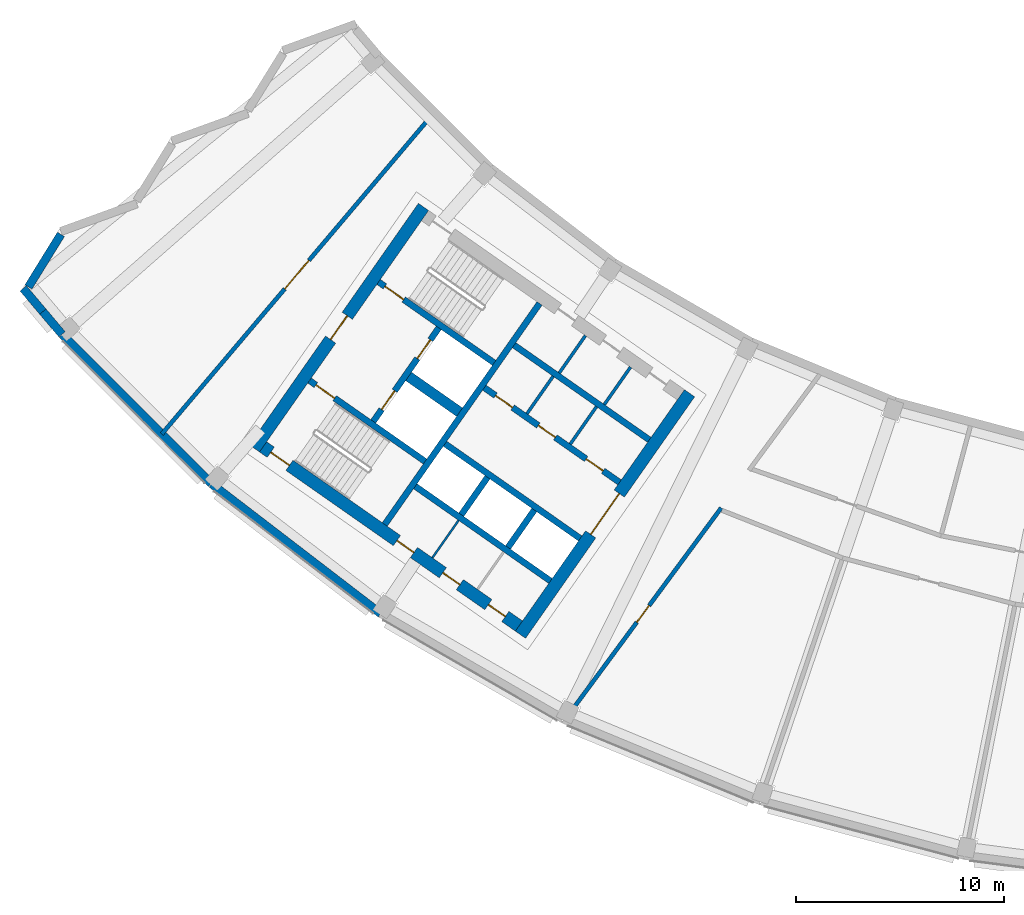
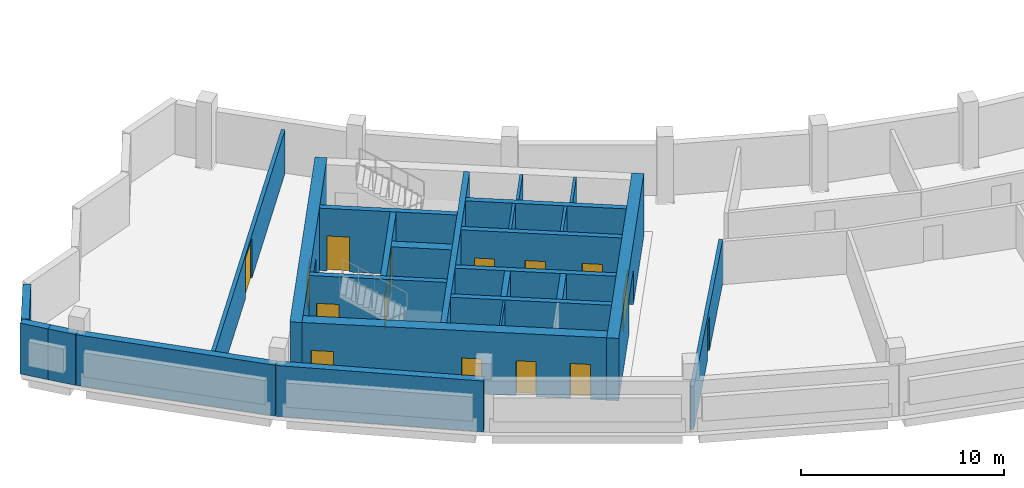
# One storey, part 3 of 12: 26 walls, 15 doors, 15 openings.
"""IFC4 building model written with IfcOpenShell, lengths in metres."""

from ifc_helpers import new_model, si_unit, direction, frame, frame_2d, origin, place, context, subcontext, project, spatial, rectangle, extrude, material, layer, layer_set, type_object, element, fill, save


model = new_model("IFC4")

# Units and contexts
model_context = context("Model", 3, precision=1e-05, world=origin(), true_north=direction((0.0, 1.0)))
body_context = subcontext(model_context, "Body", "Model", "MODEL_VIEW")
ifc_project = project(units=[si_unit("LENGTHUNIT", "METRE"), si_unit("AREAUNIT", "SQUARE_METRE"), si_unit("VOLUMEUNIT", "CUBIC_METRE"), si_unit("PLANEANGLEUNIT", "RADIAN"), si_unit("MASSUNIT", "GRAM", prefix="KILO")], contexts=[model_context])

# Site, building, storey
site_placement = place(None, origin())
site = spatial("IfcSite", under=ifc_project, at=site_placement, CompositionType="ELEMENT")
building_placement = place(site_placement, origin())
building = spatial("IfcBuilding", under=site, at=building_placement, Name="Qamariyya Broadcast Tower", CompositionType="ELEMENT")
storey_placement = place(building_placement, frame((0.0, 0.0, 290.699951171875)))
storey = spatial("IfcBuildingStorey", under=building, at=storey_placement, Name="L70", CompositionType="ELEMENT", Elevation=290.699951171875)

# Wall, opening, door
ifc_material_1 = material(Name="Concrete C60/75", Category="concrete")
ifc_layer_1 = layer(ifc_material_1, 0.60009765625)
ifc_layer_set_1 = layer_set([ifc_layer_1], Name="Core wall 600 mm Concrete C60/75")
wall_type_1 = type_object("IfcWallType", Name="Core wall 600 mm Concrete C60/75", PredefinedType="SHEAR", material=ifc_layer_set_1)
wall_1_placement = place(storey_placement, frame((-36.66748046875, -66.005126953125, 0.0), z_axis=(0.0, 0.0, 1.0), x_axis=(0.573568499524, 0.819157601658, 0.0)))
wall_1 = element("IfcWall", 1, at=wall_1_placement, inside=storey, type_object=wall_type_1, Name="k-W-L70-WA", PredefinedType="SHEAR", context=body_context, shape_type="SweptSolid", body=[
    extrude(rectangle(XDim=14.19970703125, YDim=0.60009765625, at=frame_2d((7.099853515625, 0.0))), origin(), (0.0, 0.0, 1.0), 3.75),
])
opening_1_placement = place(wall_1_placement, frame((5.89990234375, 0.0, 0.0)))
opening_1 = element("IfcOpeningElement", 2, at=opening_1_placement, cuts=wall_1, Name="Opening KD3-W1", PredefinedType="OPENING", context=body_context, shape_type="SweptSolid", body=[
    extrude(rectangle(XDim=2.39990234375, YDim=2.10009765625, at=frame_2d((1.199951171875, 1.050048828125))), frame((0.0, 0.31005859375, 0.0), z_axis=(0.0, -1.0, 0.0), x_axis=(1.0, 0.0, 0.0)), (0.0, 0.0, 1.0), 0.6201171875),
])
ifc_material_2 = material(Name="Steel fire-resisting door leaf", Category="steel")
door_type_1 = type_object("IfcDoorType", Name="Lift lobby door KD3", OperationType="DOUBLE_DOOR_SINGLE_SWING", PredefinedType="DOOR", material=ifc_material_2)
door_1_placement = place(opening_1_placement, origin())
door_1 = element("IfcDoor", 3, at=door_1_placement, inside=storey, type_object=door_type_1, Name="k-W-L70-WA-D1", OperationType="DOUBLE_DOOR_SINGLE_SWING", OverallHeight=2.10009765625, OverallWidth=2.39990234375, PredefinedType="DOOR", context=body_context, shape_type="SweptSolid", body=[
    extrude(rectangle(XDim=2.39990234375, YDim=2.10009765625, at=frame_2d((1.199951171875, 1.050048828125))), frame((0.0, 0.02490234375, 0.0), z_axis=(0.0, -1.0, 0.0), x_axis=(1.0, 0.0, 0.0)), (0.0, 0.0, 1.0), 0.050048828125),
])
fill(opening_1, door_1)

wall_2_placement = place(storey_placement, frame((-49.4833984375, -57.031494140625, 0.0), z_axis=(0.0, 0.0, 1.0), x_axis=(0.573560421458, 0.819163257805, 0.0)))
wall_2 = element("IfcWall", 4, at=wall_2_placement, inside=storey, type_object=wall_type_1, Name="k-W-L70-WH", PredefinedType="SHEAR", context=body_context, shape_type="SweptSolid", body=[
    extrude(rectangle(XDim=14.199951171875, YDim=0.60009765625, at=frame_2d((7.10009765625, 0.0))), origin(), (0.0, 0.0, 1.0), 3.75),
])
opening_2_placement = place(wall_2_placement, frame((6.39990234375, 0.0, 0.0)))
opening_2 = element("IfcOpeningElement", 5, at=opening_2_placement, cuts=wall_2, Name="Opening KD2-W1", PredefinedType="OPENING", context=body_context, shape_type="SweptSolid", body=[
    extrude(rectangle(XDim=1.39990234375, YDim=2.10009765625, at=frame_2d((0.699951171875, 1.050048828125))), frame((0.0, 0.31005859375, 0.0), z_axis=(0.0, -1.0, 0.0), x_axis=(1.0, 0.0, 0.0)), (0.0, 0.0, 1.0), 0.6201171875),
])
door_type_2 = type_object("IfcDoorType", Name="Fire-fighting lobby door KD2", OperationType="DOUBLE_DOOR_SINGLE_SWING", PredefinedType="DOOR", material=ifc_material_2)
door_2_placement = place(opening_2_placement, origin())
door_2 = element("IfcDoor", 6, at=door_2_placement, inside=storey, type_object=door_type_2, Name="k-W-L70-WH-D13", OperationType="DOUBLE_DOOR_SINGLE_SWING", OverallHeight=2.10009765625, OverallWidth=1.39990234375, PredefinedType="DOOR", context=body_context, shape_type="SweptSolid", body=[
    extrude(rectangle(XDim=1.39990234375, YDim=2.10009765625, at=frame_2d((0.699951171875, 1.050048828125))), frame((0.0, 0.02490234375, 0.0), z_axis=(0.0, -1.0, 0.0), x_axis=(1.0, 0.0, 0.0)), (0.0, 0.0, 1.0), 0.050048828125),
])
fill(opening_2, door_2)

# Wall, openings, doors
wall_3_placement = place(storey_placement, frame((-36.7412109375, -65.58740234375, 0.0), z_axis=(0.0, 0.0, 1.0), x_axis=(-0.819153391756, 0.573574511963, 0.0)))
wall_3 = element("IfcWall", 7, at=wall_3_placement, inside=storey, type_object=wall_type_1, Name="k-W-L70-WO", PredefinedType="SHEAR", context=body_context, shape_type="SweptSolid", body=[
    extrude(rectangle(XDim=15.04541015625, YDim=0.60009765625, at=frame_2d((7.522705078125, 0.0))), origin(), (0.0, 0.0, 1.0), 3.75),
])
opening_3_placement = place(wall_3_placement, frame((0.800048828125, 0.0, 0.0)))
opening_3 = element("IfcOpeningElement", 8, at=opening_3_placement, cuts=wall_3, Name="Opening KD4-W7", PredefinedType="OPENING", context=body_context, shape_type="SweptSolid", body=[
    extrude(rectangle(XDim=1.0, YDim=2.10009765625, at=frame_2d((0.5, 1.050048828125))), frame((0.0, 0.31005859375, 0.0), z_axis=(0.0, -1.0, 0.0), x_axis=(1.0, 0.0, 0.0)), (0.0, 0.0, 1.0), 0.6201171875),
])
opening_4_placement = place(wall_3_placement, frame((3.47509765625, 0.0, 0.0)))
opening_4 = element("IfcOpeningElement", 9, at=opening_4_placement, cuts=wall_3, Name="Opening KD4-W8", PredefinedType="OPENING", context=body_context, shape_type="SweptSolid", body=[
    extrude(rectangle(XDim=1.0, YDim=2.10009765625, at=frame_2d((0.5, 1.050048828125))), frame((0.0, 0.31005859375, 0.0), z_axis=(0.0, -1.0, 0.0), x_axis=(1.0, 0.0, 0.0)), (0.0, 0.0, 1.0), 0.6201171875),
])
opening_5_placement = place(wall_3_placement, frame((6.175048828125, 0.0, 0.0)))
opening_5 = element("IfcOpeningElement", 10, at=opening_5_placement, cuts=wall_3, Name="Opening KD4-W9", PredefinedType="OPENING", context=body_context, shape_type="SweptSolid", body=[
    extrude(rectangle(XDim=1.0, YDim=2.10009765625, at=frame_2d((0.5, 1.050048828125))), frame((0.0, 0.31005859375, 0.0), z_axis=(0.0, -1.0, 0.0), x_axis=(1.0, 0.0, 0.0)), (0.0, 0.0, 1.0), 0.6201171875),
])
opening_6_placement = place(wall_3_placement, frame((13.495361328125, 0.0, 0.0)))
opening_6 = element("IfcOpeningElement", 11, at=opening_6_placement, cuts=wall_3, Name="Opening KD1-W3", PredefinedType="OPENING", context=body_context, shape_type="SweptSolid", body=[
    extrude(rectangle(XDim=1.10009765625, YDim=2.10009765625, at=frame_2d((0.550048828125, 1.050048828125))), frame((0.0, 0.31005859375, 0.0), z_axis=(0.0, -1.0, 0.0), x_axis=(1.0, 0.0, 0.0)), (0.0, 0.0, 1.0), 0.6201171875),
])
door_type_3 = type_object("IfcDoorType", Name="Riser and plant door KD4", OperationType="SINGLE_SWING_LEFT", PredefinedType="DOOR", material=ifc_material_2)
door_3_placement = place(opening_3_placement, origin())
door_3 = element("IfcDoor", 12, at=door_3_placement, inside=storey, type_object=door_type_3, Name="k-W-L70-WO-D8", OperationType="SINGLE_SWING_LEFT", OverallHeight=2.10009765625, OverallWidth=1.0, PredefinedType="DOOR", context=body_context, shape_type="SweptSolid", body=[
    extrude(rectangle(XDim=1.0, YDim=2.10009765625, at=frame_2d((0.5, 1.050048828125))), frame((0.0, 0.02490234375, 0.0), z_axis=(0.0, -1.0, 0.0), x_axis=(1.0, 0.0, 0.0)), (0.0, 0.0, 1.0), 0.050048828125),
])
fill(opening_3, door_3)
door_4_placement = place(opening_4_placement, origin())
door_4 = element("IfcDoor", 13, at=door_4_placement, inside=storey, type_object=door_type_3, Name="k-W-L70-WO-D9", OperationType="SINGLE_SWING_RIGHT", OverallHeight=2.10009765625, OverallWidth=1.0, PredefinedType="DOOR", context=body_context, shape_type="SweptSolid", body=[
    extrude(rectangle(XDim=1.0, YDim=2.10009765625, at=frame_2d((0.5, 1.050048828125))), frame((0.0, 0.02490234375, 0.0), z_axis=(0.0, -1.0, 0.0), x_axis=(1.0, 0.0, 0.0)), (0.0, 0.0, 1.0), 0.050048828125),
])
fill(opening_4, door_4)
door_5_placement = place(opening_5_placement, origin())
door_5 = element("IfcDoor", 14, at=door_5_placement, inside=storey, type_object=door_type_3, Name="k-W-L70-WO-D10", OperationType="SINGLE_SWING_LEFT", OverallHeight=2.10009765625, OverallWidth=1.0, PredefinedType="DOOR", context=body_context, shape_type="SweptSolid", body=[
    extrude(rectangle(XDim=1.0, YDim=2.10009765625, at=frame_2d((0.5, 1.050048828125))), frame((0.0, 0.02490234375, 0.0), z_axis=(0.0, -1.0, 0.0), x_axis=(1.0, 0.0, 0.0)), (0.0, 0.0, 1.0), 0.050048828125),
])
fill(opening_5, door_5)
door_type_4 = type_object("IfcDoorType", Name="Stair door KD1", OperationType="SINGLE_SWING_LEFT", PredefinedType="DOOR", material=ifc_material_2)
door_6_placement = place(opening_6_placement, origin())
door_6 = element("IfcDoor", 15, at=door_6_placement, inside=storey, type_object=door_type_4, Name="k-W-L70-WO-D16", OperationType="SINGLE_SWING_LEFT", OverallHeight=2.10009765625, OverallWidth=1.10009765625, PredefinedType="DOOR", context=body_context, shape_type="SweptSolid", body=[
    extrude(rectangle(XDim=1.10009765625, YDim=2.10009765625, at=frame_2d((0.550048828125, 1.050048828125))), frame((0.0, 0.02490234375, 0.0), z_axis=(0.0, -1.0, 0.0), x_axis=(1.0, 0.0, 0.0)), (0.0, 0.0, 1.0), 0.050048828125),
])
fill(opening_6, door_6)

# Walls
ifc_layer_2 = layer(ifc_material_1, 0.5)
ifc_layer_set_2 = layer_set([ifc_layer_2], Name="Fire-fighting lobby divider wall 500 mm Concrete C60/75")
wall_type_2 = type_object("IfcWallType", Name="Fire-fighting lobby divider wall 500 mm Concrete C60/75", PredefinedType="SOLIDWALL", material=ifc_layer_set_2)
wall_4_placement = place(storey_placement, frame((-39.59912109375, -55.28515625, 0.0), z_axis=(0.0, 0.0, 1.0), x_axis=(-0.819136323161, 0.573598887793, 0.0)))
element("IfcWall", 16, at=wall_4_placement, inside=storey, type_object=wall_type_2, Name="k-W-L70-FD", PredefinedType="SOLIDWALL", context=body_context, shape_type="SweptSolid", body=[
    extrude(rectangle(XDim=2.999755859375, YDim=0.5, at=frame_2d((1.5, 0.0))), origin(), (0.0, 0.0, 1.0), 3.75),
])
ifc_material_3 = material(Name="Gypsum board partition on steel studs", Category="steel")
ifc_layer_3 = layer(ifc_material_3, 0.14990234375)
ifc_layer_set_3 = layer_set([ifc_layer_3], Name="Gypsum board partition 150 mm")
wall_type_3 = type_object("IfcWallType", Name="Gypsum board partition 150 mm", PredefinedType="PARTITIONING", material=ifc_layer_set_3)
for number, where, z_axis, x_axis, name in (
    (17, (-34.26611328125, -56.822021484375, 0.0), (0.0, 0.0, 1.0), (0.573581496053, 0.819148501424, 0.0), "k-W-L70-NC300"),
    (18, (-36.35498046875, -55.359375, 0.0), (0.0, 0.0, 1.0), (0.573581496053, 0.819148501424, 0.0), "k-W-L70-NC555"),
):
    element("IfcWall", number, at=place(storey_placement, frame(where, z_axis=z_axis, x_axis=x_axis)), inside=storey, type_object=wall_type_3, Name=name, PredefinedType="PARTITIONING", context=body_context, shape_type="SweptSolid", body=[
        extrude(rectangle(XDim=2.2001953125, YDim=0.14990234375, at=frame_2d((1.10009765625, 0.0))), origin(), (0.0, 0.0, 1.0), 3.75),
    ])
for number, where, z_axis, x_axis, name in (
    (19, (-32.627197265625, -54.91748046875, 0.0), (0.0, 0.0, 1.0), (0.573507030513, 0.819200638399, 0.0), "k-W-L70-NP275"),
    (20, (-34.798095703125, -53.3974609375, 0.0), (0.0, 0.0, 1.0), (0.573633636671, 0.819111989218, 0.0), "k-W-L70-NP540"),
):
    element("IfcWall", number, at=place(storey_placement, frame(where, z_axis=z_axis, x_axis=x_axis)), inside=storey, type_object=wall_type_3, Name=name, PredefinedType="PARTITIONING", context=body_context, shape_type="SweptSolid", body=[
        extrude(rectangle(XDim=2.199951171875, YDim=0.14990234375, at=frame_2d((1.10009765625, 0.0))), origin(), (0.0, 0.0, 1.0), 3.75),
    ])
ifc_layer_4 = layer(ifc_material_1, 0.300048828125)
ifc_layer_set_4 = layer_set([ifc_layer_4], Name="Lift shaft wall 300 mm Concrete C60/75")
wall_type_4 = type_object("IfcWallType", Name="Lift shaft wall 300 mm Concrete C60/75", PredefinedType="SOLIDWALL", material=ifc_layer_set_4)
wall_5_placement = place(storey_placement, frame((-43.204345703125, -60.69580078125, 0.0), z_axis=(0.0, 0.0, 1.0), x_axis=(0.573571992966, 0.819155155563, 0.0)))
element("IfcWall", 21, at=wall_5_placement, inside=storey, type_object=wall_type_4, Name="k-W-L70-WL", PredefinedType="SOLIDWALL", context=body_context, shape_type="SweptSolid", body=[
    extrude(rectangle(XDim=13.000244140625, YDim=0.300048828125, at=frame_2d((6.5, 0.0))), origin(), (0.0, 0.0, 1.0), 3.75),
])

# Wall, openings, doors
wall_6_placement = place(storey_placement, frame((-31.89453125, -58.66552734375, 0.0), z_axis=(0.0, 0.0, 1.0), x_axis=(-0.819166993208, 0.573555086491, 0.0)))
wall_6 = element("IfcWall", 22, at=wall_6_placement, inside=storey, type_object=wall_type_4, Name="k-W-L70-NF0", PredefinedType="SOLIDWALL", context=body_context, shape_type="SweptSolid", body=[
    extrude(rectangle(XDim=7.9501953125, YDim=0.300048828125, at=frame_2d((3.97509765625, 0.0))), origin(), (0.0, 0.0, 1.0), 3.75),
])
opening_7_placement = place(wall_6_placement, frame((0.96240234375, 0.0, 0.0)))
opening_7 = element("IfcOpeningElement", 23, at=opening_7_placement, cuts=wall_6, Name="Opening KD4-W1", PredefinedType="OPENING", context=body_context, shape_type="SweptSolid", body=[
    extrude(rectangle(XDim=1.0, YDim=2.10009765625, at=frame_2d((0.5, 1.050048828125))), frame((0.0, 0.159912109375, 0.0), z_axis=(0.0, -1.0, 0.0), x_axis=(1.0, 0.0, 0.0)), (0.0, 0.0, 1.0), 0.320068359375),
])
opening_8_placement = place(wall_6_placement, frame((3.77490234375, 0.0, 0.0)))
opening_8 = element("IfcOpeningElement", 24, at=opening_8_placement, cuts=wall_6, Name="Opening KD4-W2", PredefinedType="OPENING", context=body_context, shape_type="SweptSolid", body=[
    extrude(rectangle(XDim=1.0, YDim=2.10009765625, at=frame_2d((0.5, 1.050048828125))), frame((0.0, 0.159912109375, 0.0), z_axis=(0.0, -1.0, 0.0), x_axis=(1.0, 0.0, 0.0)), (0.0, 0.0, 1.0), 0.320068359375),
])
opening_9_placement = place(wall_6_placement, frame((6.28759765625, 0.0, 0.0)))
opening_9 = element("IfcOpeningElement", 25, at=opening_9_placement, cuts=wall_6, Name="Opening KD4-W3", PredefinedType="OPENING", context=body_context, shape_type="SweptSolid", body=[
    extrude(rectangle(XDim=1.0, YDim=2.10009765625, at=frame_2d((0.5, 1.050048828125))), frame((0.0, 0.159912109375, 0.0), z_axis=(0.0, -1.0, 0.0), x_axis=(1.0, 0.0, 0.0)), (0.0, 0.0, 1.0), 0.320068359375),
])
door_7_placement = place(opening_7_placement, origin())
door_7 = element("IfcDoor", 26, at=door_7_placement, inside=storey, type_object=door_type_3, Name="k-W-L70-NF0-D2", OperationType="SINGLE_SWING_LEFT", OverallHeight=2.10009765625, OverallWidth=1.0, PredefinedType="DOOR", context=body_context, shape_type="SweptSolid", body=[
    extrude(rectangle(XDim=1.0, YDim=2.10009765625, at=frame_2d((0.5, 1.050048828125))), frame((0.0, 0.02490234375, 0.0), z_axis=(0.0, -1.0, 0.0), x_axis=(1.0, 0.0, 0.0)), (0.0, 0.0, 1.0), 0.050048828125),
])
fill(opening_7, door_7)
door_8_placement = place(opening_8_placement, origin())
door_8 = element("IfcDoor", 27, at=door_8_placement, inside=storey, type_object=door_type_3, Name="k-W-L70-NF0-D3", OperationType="SINGLE_SWING_RIGHT", OverallHeight=2.10009765625, OverallWidth=1.0, PredefinedType="DOOR", context=body_context, shape_type="SweptSolid", body=[
    extrude(rectangle(XDim=1.0, YDim=2.10009765625, at=frame_2d((0.5, 1.050048828125))), frame((0.0, 0.02490234375, 0.0), z_axis=(0.0, -1.0, 0.0), x_axis=(1.0, 0.0, 0.0)), (0.0, 0.0, 1.0), 0.050048828125),
])
fill(opening_8, door_8)
door_9_placement = place(opening_9_placement, origin())
door_9 = element("IfcDoor", 28, at=door_9_placement, inside=storey, type_object=door_type_3, Name="k-W-L70-NF0-D4", OperationType="SINGLE_SWING_LEFT", OverallHeight=2.10009765625, OverallWidth=1.0, PredefinedType="DOOR", context=body_context, shape_type="SweptSolid", body=[
    extrude(rectangle(XDim=1.0, YDim=2.10009765625, at=frame_2d((0.5, 1.050048828125))), frame((0.0, 0.02490234375, 0.0), z_axis=(0.0, -1.0, 0.0), x_axis=(1.0, 0.0, 0.0)), (0.0, 0.0, 1.0), 0.050048828125),
])
fill(opening_9, door_9)

# Walls
wall_7_placement = place(storey_placement, frame((-30.460693359375, -56.61767578125, 0.0), z_axis=(0.0, 0.0, 1.0), x_axis=(-0.819142461705, 0.573590121456, 0.0)))
element("IfcWall", 29, at=wall_7_placement, inside=storey, type_object=wall_type_4, Name="k-W-L70-NB0", PredefinedType="SOLIDWALL", context=body_context, shape_type="SweptSolid", body=[
    extrude(rectangle(XDim=7.949951171875, YDim=0.300048828125, at=frame_2d((3.97509765625, 0.0))), origin(), (0.0, 0.0, 1.0), 3.75),
])
for number, where, z_axis, x_axis, name in (
    (30, (-33.787353515625, -61.368896484375, 0.0), (0.0, 0.0, 1.0), (-0.819152564888, 0.573575692858, 0.0), "k-W-L70-SF0"),
    (31, (-35.22119140625, -63.41650390625, 0.0), (0.0, 0.0, 1.0), (-0.819166993208, 0.573555086491, 0.0), "k-W-L70-SB0"),
):
    element("IfcWall", number, at=place(storey_placement, frame(where, z_axis=z_axis, x_axis=x_axis)), inside=storey, type_object=wall_type_4, Name=name, PredefinedType="SOLIDWALL", context=body_context, shape_type="SweptSolid", body=[
        extrude(rectangle(XDim=7.9501953125, YDim=0.300048828125, at=frame_2d((3.97509765625, 0.0))), origin(), (0.0, 0.0, 1.0), 3.75),
    ])
wall_8_placement = place(storey_placement, frame((-36.003173828125, -60.000244140625, 0.0), z_axis=(0.0, 0.0, 1.0), x_axis=(-0.573581496053, -0.819148501424, 0.0)))
element("IfcWall", 32, at=wall_8_placement, inside=storey, type_object=wall_type_4, Name="k-W-L70-SD0", PredefinedType="SOLIDWALL", context=body_context, shape_type="SweptSolid", body=[
    extrude(rectangle(XDim=2.2001953125, YDim=0.300048828125, at=frame_2d((1.10009765625, 0.0))), origin(), (0.0, 0.0, 1.0), 3.75),
])
wall_9_placement = place(storey_placement, frame((-38.255859375, -58.423095703125, 0.0), z_axis=(0.0, 0.0, 1.0), x_axis=(-0.573633636671, -0.819111989218, 0.0)))
element("IfcWall", 33, at=wall_9_placement, inside=storey, type_object=wall_type_4, Name="k-W-L70-SD1", PredefinedType="SOLIDWALL", context=body_context, shape_type="SweptSolid", body=[
    extrude(rectangle(XDim=2.199951171875, YDim=0.300048828125, at=frame_2d((1.10009765625, 0.0))), origin(), (0.0, 0.0, 1.0), 3.75),
])

# Wall, opening, door
wall_10_placement = place(storey_placement, frame((-37.935546875, -52.90966796875, 0.0), z_axis=(0.0, 0.0, 1.0), x_axis=(-0.819147518138, 0.57358290031, 0.0)))
wall_10 = element("IfcWall", 34, at=wall_10_placement, inside=storey, type_object=wall_type_4, Name="k-W-L70-NW", PredefinedType="SOLIDWALL", context=body_context, shape_type="SweptSolid", body=[
    extrude(rectangle(XDim=6.79541015625, YDim=0.300048828125, at=frame_2d((3.397705078125, 0.0))), origin(), (0.0, 0.0, 1.0), 3.75),
])
opening_10_placement = place(wall_10_placement, frame((5.3203125, 0.0, 0.0)))
opening_10 = element("IfcOpeningElement", 35, at=opening_10_placement, cuts=wall_10, Name="Opening KD1-W2", PredefinedType="OPENING", context=body_context, shape_type="SweptSolid", body=[
    extrude(rectangle(XDim=1.10009765625, YDim=2.10009765625, at=frame_2d((0.550048828125, 1.050048828125))), frame((0.0, 0.159912109375, 0.0), z_axis=(0.0, -1.0, 0.0), x_axis=(1.0, 0.0, 0.0)), (0.0, 0.0, 1.0), 0.320068359375),
])
door_10_placement = place(opening_10_placement, origin())
door_10 = element("IfcDoor", 36, at=door_10_placement, inside=storey, type_object=door_type_4, Name="k-W-L70-NW-D15", OperationType="SINGLE_SWING_RIGHT", OverallHeight=2.10009765625, OverallWidth=1.10009765625, PredefinedType="DOOR", context=body_context, shape_type="SweptSolid", body=[
    extrude(rectangle(XDim=1.10009765625, YDim=2.10009765625, at=frame_2d((0.550048828125, 1.050048828125))), frame((0.0, 0.02490234375, 0.0), z_axis=(0.0, -1.0, 0.0), x_axis=(1.0, 0.0, 0.0)), (0.0, 0.0, 1.0), 0.050048828125),
])
fill(opening_10, door_10)

wall_11_placement = place(storey_placement, frame((-41.262451171875, -57.66064453125, 0.0), z_axis=(0.0, 0.0, 1.0), x_axis=(-0.819164398642, 0.573558792102, 0.0)))
wall_11 = element("IfcWall", 37, at=wall_11_placement, inside=storey, type_object=wall_type_4, Name="k-W-L70-SW", PredefinedType="SOLIDWALL", context=body_context, shape_type="SweptSolid", body=[
    extrude(rectangle(XDim=6.795166015625, YDim=0.300048828125, at=frame_2d((3.3974609375, 0.0))), origin(), (0.0, 0.0, 1.0), 3.75),
])
opening_11_placement = place(wall_11_placement, frame((5.3203125, 0.0, 0.0)))
opening_11 = element("IfcOpeningElement", 38, at=opening_11_placement, cuts=wall_11, Name="Opening KD1-W4", PredefinedType="OPENING", context=body_context, shape_type="SweptSolid", body=[
    extrude(rectangle(XDim=1.10009765625, YDim=2.10009765625, at=frame_2d((0.550048828125, 1.050048828125))), frame((0.0, 0.159912109375, 0.0), z_axis=(0.0, -1.0, 0.0), x_axis=(1.0, 0.0, 0.0)), (0.0, 0.0, 1.0), 0.320068359375),
])
door_11_placement = place(opening_11_placement, origin())
door_11 = element("IfcDoor", 39, at=door_11_placement, inside=storey, type_object=door_type_4, Name="k-W-L70-SW-D17", OperationType="SINGLE_SWING_RIGHT", OverallHeight=2.10009765625, OverallWidth=1.10009765625, PredefinedType="DOOR", context=body_context, shape_type="SweptSolid", body=[
    extrude(rectangle(XDim=1.10009765625, YDim=2.10009765625, at=frame_2d((0.550048828125, 1.050048828125))), frame((0.0, 0.02490234375, 0.0), z_axis=(0.0, -1.0, 0.0), x_axis=(1.0, 0.0, 0.0)), (0.0, 0.0, 1.0), 0.050048828125),
])
fill(opening_11, door_11)

# Wall, openings, doors
wall_12_placement = place(storey_placement, frame((-43.756591796875, -55.731201171875, 0.0), z_axis=(0.0, 0.0, 1.0), x_axis=(0.573536818435, 0.819179783625, 0.0)))
wall_12 = element("IfcWall", 40, at=wall_12_placement, inside=storey, type_object=wall_type_4, Name="k-W-L70-FF", PredefinedType="SOLIDWALL", context=body_context, shape_type="SweptSolid", body=[
    extrude(rectangle(XDim=5.500244140625, YDim=0.300048828125, at=frame_2d((2.75, 0.0))), origin(), (0.0, 0.0, 1.0), 3.75),
])
opening_12_placement = place(wall_12_placement, frame((0.699951171875, 0.0, 0.0)))
opening_12 = element("IfcOpeningElement", 41, at=opening_12_placement, cuts=wall_12, Name="Opening LD", PredefinedType="OPENING", context=body_context, shape_type="SweptSolid", body=[
    extrude(rectangle(XDim=1.10009765625, YDim=2.10009765625, at=frame_2d((0.550048828125, 1.050048828125))), frame((0.0, 0.159912109375, 0.0), z_axis=(0.0, -1.0, 0.0), x_axis=(1.0, 0.0, 0.0)), (0.0, 0.0, 1.0), 0.320068359375),
])
opening_13_placement = place(wall_12_placement, frame((3.699951171875, 0.0, 0.0)))
opening_13 = element("IfcOpeningElement", 42, at=opening_13_placement, cuts=wall_12, Name="Opening LD", PredefinedType="OPENING", context=body_context, shape_type="SweptSolid", body=[
    extrude(rectangle(XDim=1.10009765625, YDim=2.10009765625, at=frame_2d((0.550048828125, 1.050048828125))), frame((0.0, 0.159912109375, 0.0), z_axis=(0.0, -1.0, 0.0), x_axis=(1.0, 0.0, 0.0)), (0.0, 0.0, 1.0), 0.320068359375),
])
door_type_5 = type_object("IfcDoorType", Name="Lift landing door LD", OperationType="DOUBLE_DOOR_SLIDING", PredefinedType="DOOR", material=ifc_material_2)
door_12_placement = place(opening_12_placement, origin())
door_12 = element("IfcDoor", 43, at=door_12_placement, inside=storey, type_object=door_type_5, Name="k-W-L70-FF-D11", OperationType="DOUBLE_DOOR_SLIDING", OverallHeight=2.10009765625, OverallWidth=1.10009765625, PredefinedType="DOOR", context=body_context, shape_type="SweptSolid", body=[
    extrude(rectangle(XDim=1.10009765625, YDim=2.10009765625, at=frame_2d((0.550048828125, 1.050048828125))), frame((0.0, 0.02490234375, 0.0), z_axis=(0.0, -1.0, 0.0), x_axis=(1.0, 0.0, 0.0)), (0.0, 0.0, 1.0), 0.050048828125),
])
fill(opening_12, door_12)
door_13_placement = place(opening_13_placement, origin())
door_13 = element("IfcDoor", 44, at=door_13_placement, inside=storey, type_object=door_type_5, Name="k-W-L70-FF-D12", OperationType="DOUBLE_DOOR_SLIDING", OverallHeight=2.10009765625, OverallWidth=1.10009765625, PredefinedType="DOOR", context=body_context, shape_type="SweptSolid", body=[
    extrude(rectangle(XDim=1.10009765625, YDim=2.10009765625, at=frame_2d((0.550048828125, 1.050048828125))), frame((0.0, 0.02490234375, 0.0), z_axis=(0.0, -1.0, 0.0), x_axis=(1.0, 0.0, 0.0)), (0.0, 0.0, 1.0), 0.050048828125),
])
fill(opening_13, door_13)

# Wall, opening, door
ifc_material_4 = material(Name="Masonry block wall", Category="masonry")
ifc_layer_5 = layer(ifc_material_4, 0.199951171875)
ifc_layer_set_5 = layer_set([ifc_layer_5], Name="Plant room wall 200 EI 120")
wall_type_5 = type_object("IfcWallType", Name="Plant room wall 200 EI 120", PredefinedType="PARTITIONING", material=ifc_layer_set_5)
wall_13_placement = place(storey_placement, frame((-53.946044921875, -56.33837890625, 0.0), z_axis=(0.0, 0.0, 1.0), x_axis=(0.646426079671, 0.76297662056, 0.0)))
wall_13 = element("IfcWall", 45, at=wall_13_placement, inside=storey, type_object=wall_type_5, Name="Partition L70-001", PredefinedType="PARTITIONING", context=body_context, shape_type="SweptSolid", body=[
    extrude(rectangle(XDim=20.1259765625, YDim=0.199951171875, at=frame_2d((10.06298828125, 0.0))), origin(), (0.0, 0.0, 1.0), 2.60009765625),
])
opening_14_placement = place(wall_13_placement, frame((9.1630859375, 0.0, 0.0)))
opening_14 = element("IfcOpeningElement", 46, at=opening_14_placement, cuts=wall_13, Name="Opening L70-D11", PredefinedType="OPENING", context=body_context, shape_type="SweptSolid", body=[
    extrude(rectangle(XDim=1.800048828125, YDim=2.39990234375, at=frame_2d((0.89990234375, 1.199951171875))), frame((0.0, 0.10986328125, 0.0), z_axis=(0.0, -1.0, 0.0), x_axis=(1.0, 0.0, 0.0)), (0.0, 0.0, 1.0), 0.219970703125),
])
ifc_material_5 = material(Name="Insulated metal door leaf")
door_type_6 = type_object("IfcDoorType", Name="Plant double door 1800 x 2400 FD120", OperationType="NOTDEFINED", PredefinedType="DOOR", material=ifc_material_5)
door_14_placement = place(opening_14_placement, origin())
door_14 = element("IfcDoor", 47, at=door_14_placement, inside=storey, type_object=door_type_6, Name="Door L70-D11", OperationType="DOUBLE_DOOR_SINGLE_SWING", OverallHeight=2.39990234375, OverallWidth=1.800048828125, PredefinedType="DOOR", context=body_context, shape_type="SweptSolid", body=[
    extrude(rectangle(XDim=1.800048828125, YDim=2.39990234375, at=frame_2d((0.89990234375, 1.199951171875))), frame((0.0, 0.02490234375, 0.0), z_axis=(0.0, -1.0, 0.0), x_axis=(1.0, 0.0, 0.0)), (0.0, 0.0, 1.0), 0.050048828125),
])
fill(opening_14, door_14)

wall_14_placement = place(storey_placement, frame((-26.998046875, -59.89892578125, 0.0), z_axis=(0.0, 0.0, 1.0), x_axis=(-0.593866233023, -0.804563793167, 0.0)))
wall_14 = element("IfcWall", 48, at=wall_14_placement, inside=storey, type_object=wall_type_5, Name="Partition L70-002", PredefinedType="PARTITIONING", context=body_context, shape_type="SweptSolid", body=[
    extrude(rectangle(XDim=12.6904296875, YDim=0.199951171875, at=frame_2d((6.34521484375, 0.0))), origin(), (0.0, 0.0, 1.0), 2.60009765625),
])
opening_15_placement = place(wall_14_placement, frame((5.84521484375, 0.0, 0.0)))
opening_15 = element("IfcOpeningElement", 49, at=opening_15_placement, cuts=wall_14, Name="Opening L70-D01", PredefinedType="OPENING", context=body_context, shape_type="SweptSolid", body=[
    extrude(rectangle(XDim=1.0, YDim=2.10009765625, at=frame_2d((0.5, 1.050048828125))), frame((0.0, 0.10986328125, 0.0), z_axis=(0.0, -1.0, 0.0), x_axis=(1.0, 0.0, 0.0)), (0.0, 0.0, 1.0), 0.219970703125),
])
door_type_7 = type_object("IfcDoorType", Name="Plant door 1000 x 2100 FD120", OperationType="NOTDEFINED", PredefinedType="DOOR", material=ifc_material_5)
door_15_placement = place(opening_15_placement, origin())
door_15 = element("IfcDoor", 50, at=door_15_placement, inside=storey, type_object=door_type_7, Name="Door L70-D01", OperationType="SINGLE_SWING_RIGHT", OverallHeight=2.10009765625, OverallWidth=1.0, PredefinedType="DOOR", context=body_context, shape_type="SweptSolid", body=[
    extrude(rectangle(XDim=1.0, YDim=2.10009765625, at=frame_2d((0.5, 1.050048828125))), frame((0.0, 0.02490234375, 0.0), z_axis=(0.0, -1.0, 0.0), x_axis=(1.0, 0.0, 0.0)), (0.0, 0.0, 1.0), 0.050048828125),
])
fill(opening_15, door_15)

# Walls
ifc_material_6 = material(Name="Fire-rated gypsum shaft liner on steel studs", Category="steel")
ifc_layer_6 = layer(ifc_material_6, 0.10009765625)
ifc_layer_set_6 = layer_set([ifc_layer_6], Name="Riser wall 100 mm")
wall_type_6 = type_object("IfcWallType", Name="Riser wall 100 mm", PredefinedType="PLUMBINGWALL", material=ifc_layer_set_6)
wall_15_placement = place(storey_placement, frame((-39.64892578125, -60.49951171875, 0.0), z_axis=(0.0, 0.0, 1.0), x_axis=(-0.573507030513, -0.819200638399, 0.0)))
element("IfcWall", 51, at=wall_15_placement, inside=storey, type_object=wall_type_6, Name="k-W-L70-SP530", PredefinedType="PLUMBINGWALL", context=body_context, shape_type="SweptSolid", body=[
    extrude(rectangle(XDim=2.199951171875, YDim=0.10009765625, at=frame_2d((1.10009765625, 0.0))), origin(), (0.0, 0.0, 1.0), 3.75),
])
ifc_material_7 = material(Name="Terracotta", Category="masonry")
ifc_layer_7 = layer(ifc_material_7, 0.39990234375)
ifc_layer_set_7 = layer_set([ifc_layer_7], Name="Solid terracotta louvred band wall 400")
wall_type_7 = type_object("IfcWallType", Name="Solid terracotta louvred band wall 400", PredefinedType="SOLIDWALL", material=ifc_layer_set_7)
wall_16_placement = place(storey_placement, frame((-58.805419921875, -46.720458984375, 0.0), z_axis=(0.0, 0.0, 1.0), x_axis=(-0.525538284274, -0.850769952315, 0.0)))
element("IfcWall", 52, at=wall_16_placement, inside=storey, type_object=wall_type_7, Name="e-wl-L70-capW5", PredefinedType="SOLIDWALL", context=body_context, shape_type="SweptSolid", body=[
    extrude(rectangle(XDim=2.976318359375, YDim=0.39990234375, at=frame_2d((1.48828125, 0.0))), origin(), (0.0, 0.0, 1.0), 3.050048828125),
])
wall_17_placement = place(storey_placement, frame((-60.623046875, -49.3193359375, 0.0), z_axis=(0.0, 0.0, 1.0), x_axis=(0.645510358639, -0.763751515148, 0.0)))
element("IfcWall", 53, at=wall_17_placement, inside=storey, type_object=wall_type_7, Name="e-wl-L70-out00", PredefinedType="SOLIDWALL", context=body_context, shape_type="SweptSolid", body=[
    extrude(rectangle(XDim=1.47021484375, YDim=0.39990234375, at=frame_2d((0.735107421875, 0.0))), origin(), (0.0, 0.0, 1.0), 3.050048828125),
])
wall_18_placement = place(storey_placement, frame((-59.674072265625, -50.442138671875, 0.0), z_axis=(0.0, 0.0, 1.0), x_axis=(0.645651771062, -0.763631973221, 0.0)))
element("IfcWall", 54, at=wall_18_placement, inside=storey, type_object=wall_type_7, Name="e-wl-L70-out01", PredefinedType="SOLIDWALL", context=body_context, shape_type="SweptSolid", body=[
    extrude(rectangle(XDim=1.431884765625, YDim=0.39990234375, at=frame_2d((0.7158203125, 0.0))), origin(), (0.0, 0.0, 1.0), 3.050048828125),
])
wall_19_placement = place(storey_placement, frame((-58.737060546875, -51.546630859375, 0.0), z_axis=(0.0, 0.0, 1.0), x_axis=(0.707118813872, -0.707094748296, 0.0)))
element("IfcWall", 55, at=wall_19_placement, inside=storey, type_object=wall_type_7, Name="e-wl-L70-out10", PredefinedType="SOLIDWALL", context=body_context, shape_type="SweptSolid", body=[
    extrude(rectangle(XDim=10.144775390625, YDim=0.39990234375, at=frame_2d((5.072265625, 0.0))), origin(), (0.0, 0.0, 1.0), 3.050048828125),
])
wall_20_placement = place(storey_placement, frame((-51.54736328125, -58.74072265625, 0.0), z_axis=(0.0, 0.0, 1.0), x_axis=(0.793354972355, -0.608759302055, 0.0)))
element("IfcWall", 56, at=wall_20_placement, inside=storey, type_object=wall_type_7, Name="e-wl-L70-out20", PredefinedType="SOLIDWALL", context=body_context, shape_type="SweptSolid", body=[
    extrude(rectangle(XDim=10.2724609375, YDim=0.39990234375, at=frame_2d((5.13623046875, 0.0))), origin(), (0.0, 0.0, 1.0), 3.050048828125),
])

save(model, "model.ifc")
